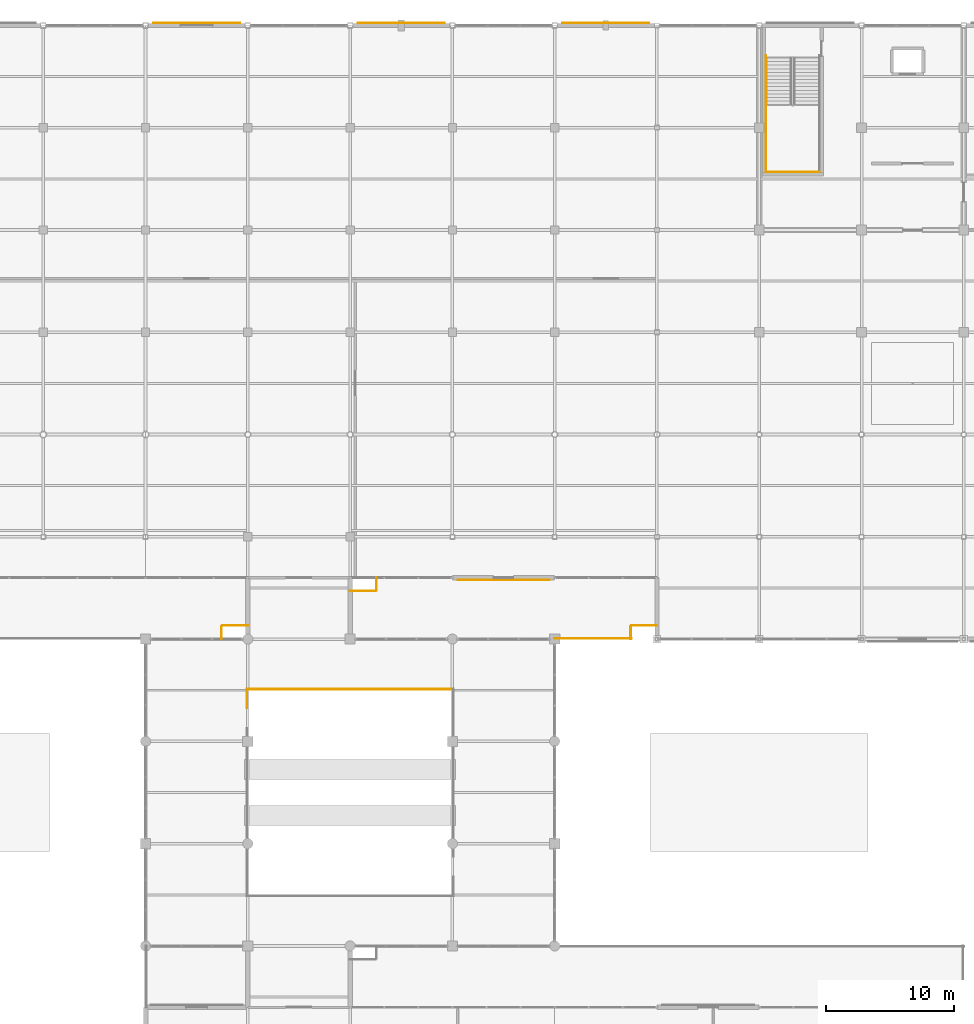
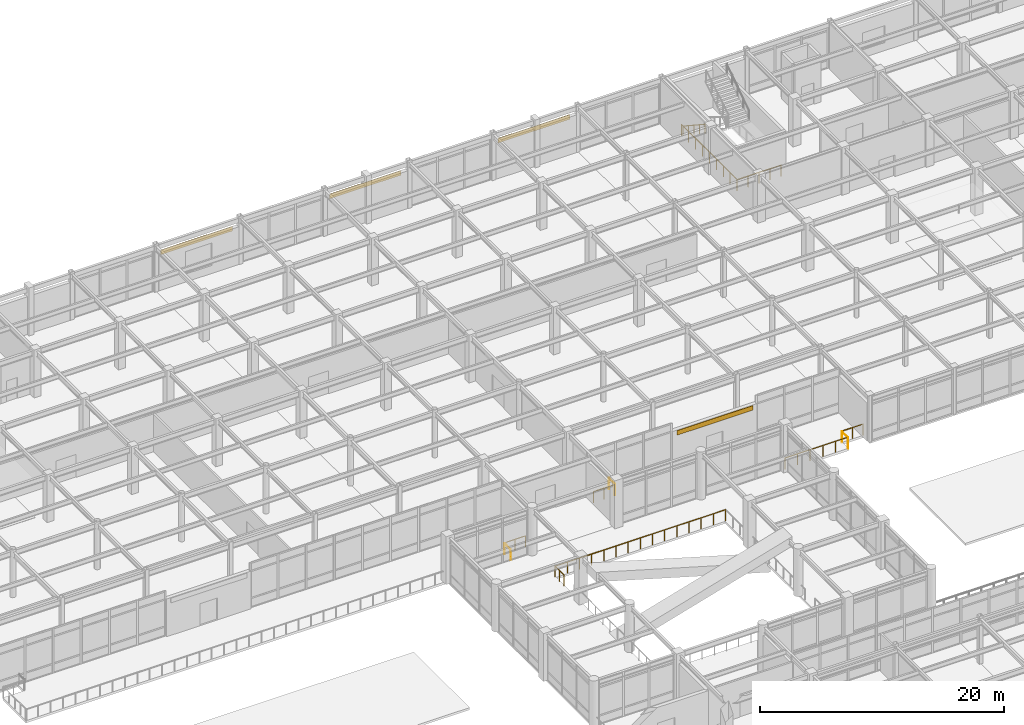
# One storey, part 111 of 117: 12 railings, 4 coverings.
"""IFC4 building model written with IfcOpenShell, lengths in metres."""

import ifcopenshell
import ifcopenshell.guid

model = None  # the IFC model being written
_history = None  # IfcOwnerHistory: only IFC2X3 demands one
_inside = {}  # id of a spatial element -> (the spatial element, [elements in it])
_under = {}  # id of a project, library or spatial element -> (it, [spatial elements below it])
_declared = {}  # id of a project -> (the project, [libraries it declares])
_typed = {}  # id of a type object -> (the type object, [elements of that type])
_made_of = {}  # id of a material, layer set ... -> (it, [elements and type objects made of it])


def new_model(schema):
    """Start an empty IFC model of exactly this schema.

    Asked for "IFC4X3", IfcOpenShell would pick the latest addendum, in which some entities
    have other attributes; the version numbers below select the first issue.
    IFC2X3 requires an IfcOwnerHistory on every rooted entity: one is made here for all.
    """
    global model, _history
    if schema == "IFC4X3":
        model = ifcopenshell.file(schema_version=(4, 3, 0, 0))
    else:
        model = ifcopenshell.file(schema=schema)
    _inside.clear()
    _under.clear()
    _declared.clear()
    _typed.clear()
    _made_of.clear()
    _history = None
    if model.schema == "IFC2X3":
        org = make("IfcOrganization", Name="unknown")
        user = make(
            "IfcPersonAndOrganization",
            ThePerson=make("IfcPerson", FamilyName="unknown"),
            TheOrganization=org,
        )
        app = make(
            "IfcApplication",
            ApplicationDeveloper=org,
            Version="unknown",
            ApplicationFullName="unknown",
            ApplicationIdentifier="unknown",
        )
        _history = make(
            "IfcOwnerHistory",
            OwningUser=user,
            OwningApplication=app,
            ChangeAction="ADDED",
            CreationDate=0,
        )
    return model


def make(cls, **values):
    """One entity of the class cls with the attributes given. An attribute that is None is left unset."""
    return model.create_entity(
        cls, **{name: value for name, value in values.items() if value is not None}
    )


def rooted(cls, **values):
    """An entity with a GlobalId (a new one), such as an element, a storey or a relation."""
    return make(cls, GlobalId=ifcopenshell.guid.new(), OwnerHistory=_history, **values)


def si_unit(unit_type, name, prefix=None):
    """IfcSIUnit, for example si_unit("LENGTHUNIT", "METRE", prefix="MILLI")."""
    return make("IfcSIUnit", UnitType=unit_type, Prefix=prefix, Name=name)


def assignment(units):
    """IfcUnitAssignment: the units of a project."""
    return None if units is None else make("IfcUnitAssignment", Units=units)


def point(xyz):
    """IfcCartesianPoint."""
    return None if xyz is None else make("IfcCartesianPoint", Coordinates=xyz)


def direction(xyz):
    """IfcDirection."""
    return None if xyz is None else make("IfcDirection", DirectionRatios=xyz)


def frame(location, z_axis=None, x_axis=None):
    """IfcAxis2Placement3D, a coordinate frame: its origin and axes. An axis left out is left unset."""
    return make(
        "IfcAxis2Placement3D",
        Location=point(location),
        Axis=direction(z_axis),
        RefDirection=direction(x_axis),
    )


def frame_2d(location, x_axis=None):
    """IfcAxis2Placement2D, a coordinate frame in the plane: its origin and x axis."""
    return make(
        "IfcAxis2Placement2D", Location=point(location), RefDirection=direction(x_axis)
    )


def origin():
    """The frame at (0, 0, 0) with its axes left unset."""
    return frame((0.0, 0.0, 0.0))


def origin_2d():
    """The frame at (0, 0) in the plane with its x axis left unset."""
    return frame_2d((0.0, 0.0))


def place(relative_to, where):
    """IfcLocalPlacement: puts the frame where relative to a parent placement (None: the world)."""
    return make(
        "IfcLocalPlacement", PlacementRelTo=relative_to, RelativePlacement=where
    )


def context(
    kind, dimensions, precision=None, world=None, true_north=None, identifier=None
):
    """IfcGeometricRepresentationContext, for example the 3D "Model" context."""
    return make(
        "IfcGeometricRepresentationContext",
        ContextIdentifier=identifier,
        ContextType=kind,
        CoordinateSpaceDimension=dimensions,
        Precision=precision,
        WorldCoordinateSystem=world,
        TrueNorth=true_north,
    )


def subcontext(parent, identifier, kind, view, scale=None):
    """IfcGeometricRepresentationSubContext, for example "Body" below "Model"."""
    return make(
        "IfcGeometricRepresentationSubContext",
        ContextIdentifier=identifier,
        ContextType=kind,
        ParentContext=parent,
        TargetScale=scale,
        TargetView=view,
    )


def project(units=None, contexts=None):
    """IfcProject with its units and contexts."""
    return rooted(
        "IfcProject",
        Name="project",
        RepresentationContexts=contexts,
        UnitsInContext=assignment(units),
    )


def spatial(cls, under=None, at=None, **own):
    """A site, building, storey or space (cls), placed at a placement, below another one or the project."""
    s = rooted(cls, ObjectPlacement=at, **own)
    if under is not None:
        _under.setdefault(under.id(), (under, []))[1].append(s)
    return s


def profile(cls, at=None, kind="AREA", **sizes):
    """A parametric profile (cls). Its sizes go by their IFC names, for example OverallWidth=200.0."""
    return make(cls, ProfileType=kind, Position=at, **sizes)


def rectangle(**sizes):
    """IfcRectangleProfileDef."""
    return profile("IfcRectangleProfileDef", **sizes)


def circle(**sizes):
    """IfcCircleProfileDef."""
    return profile("IfcCircleProfileDef", **sizes)


def extrude(swept, where, along, depth):
    """IfcExtrudedAreaSolid: the profile swept, set in the frame where, extruded along a direction by depth."""
    return make(
        "IfcExtrudedAreaSolid",
        SweptArea=swept,
        Position=where,
        ExtrudedDirection=direction(along),
        Depth=depth,
    )


def shape(context_of_items, identifier, shape_type, items):
    """IfcShapeRepresentation: the items that make up one representation, for example the "Body"."""
    return make(
        "IfcShapeRepresentation",
        ContextOfItems=context_of_items,
        RepresentationIdentifier=identifier,
        RepresentationType=shape_type,
        Items=items,
    )


def material(Name=None, Category=None):
    """IfcMaterial."""
    return make("IfcMaterial", Name=Name, Category=Category)


def layer(
    of_material, thickness, ventilated=None, Name=None, Category=None, Priority=None
):
    """IfcMaterialLayer: one layer of a wall or slab, of a material (None: an air gap)."""
    return make(
        "IfcMaterialLayer",
        Material=of_material,
        LayerThickness=thickness,
        IsVentilated=ventilated,
        Name=Name,
        Category=Category,
        Priority=Priority,
    )


def layer_set(layers, Name=None):
    """IfcMaterialLayerSet."""
    return make("IfcMaterialLayerSet", MaterialLayers=layers, LayerSetName=Name)


def made_of(thing, what):
    """Note that an element or type object is made of a material, layer set ...; save() writes the relation."""
    if what is not None:
        _made_of.setdefault(what.id(), (what, []))[1].append(thing)
    return thing


def type_object(cls, material=None, **own):
    """A type object (cls), such as IfcWallType, which elements share."""
    return made_of(rooted(cls, **own), material)


def element(
    cls,
    number,
    at=None,
    inside=None,
    cuts=None,
    type_object=None,
    material=None,
    context=None,
    identifier="Body",
    shape_type=None,
    held_by="IfcProductDefinitionShape",
    body=None,
    shapes=None,
    **own,
):
    """One element of the class cls, such as IfcWall. Its Tag is "e" and its number.

    at: its placement. inside: the storey or other place that contains it. cuts: it is an
    opening in that element (IfcRelVoidsElement). A single representation is given by context,
    identifier, shape_type and body (its items); several are given by shapes. held_by: the class
    of the entity that holds the representations. save() writes the other relations.
    """
    e = rooted(cls, Tag="e%d" % number, ObjectPlacement=at, **own)
    if body is not None:
        shapes = [shape(context, identifier, shape_type, body)]
    if shapes is not None:
        e.Representation = make(held_by, Representations=shapes)
    if inside is not None:
        _inside.setdefault(inside.id(), (inside, []))[1].append(e)
    if cuts is not None:
        rooted(
            "IfcRelVoidsElement", RelatingBuildingElement=cuts, RelatedOpeningElement=e
        )
    if type_object is not None:
        _typed.setdefault(type_object.id(), (type_object, []))[1].append(e)
    return made_of(e, material)


def aggregate(whole, parts):
    """IfcRelAggregates: a whole, such as a stair, and the parts it consists of."""
    return rooted("IfcRelAggregates", RelatingObject=whole, RelatedObjects=parts)


def save(model, path):
    """Write the relations noted so far, then the file.

    IfcRelAggregates (storeys below a building ...), IfcRelContainedInSpatialStructure (elements
    in a storey), IfcRelDefinesByType, IfcRelAssociatesMaterial and IfcRelDeclares: one each for
    every whole, place, type object, material and project.
    """
    for whole, parts in _under.values():
        aggregate(whole, parts)
    for where, things in _inside.values():
        rooted(
            "IfcRelContainedInSpatialStructure",
            RelatedElements=things,
            RelatingStructure=where,
        )
    for kind, things in _typed.values():
        rooted("IfcRelDefinesByType", RelatedObjects=things, RelatingType=kind)
    for what, things in _made_of.values():
        rooted("IfcRelAssociatesMaterial", RelatedObjects=things, RelatingMaterial=what)
    for by, libraries in _declared.values():
        rooted("IfcRelDeclares", RelatingContext=by, RelatedDefinitions=libraries)
    model.write(path)


model = new_model("IFC4")

# Units and contexts
model_context = context("Model", 3, precision=1e-05, world=origin(), true_north=direction((0.0, 1.0)))
body_context = subcontext(model_context, "Body", "Model", "MODEL_VIEW")
ifc_project = project(units=[si_unit("LENGTHUNIT", "METRE"), si_unit("AREAUNIT", "SQUARE_METRE"), si_unit("VOLUMEUNIT", "CUBIC_METRE"), si_unit("PLANEANGLEUNIT", "RADIAN"), si_unit("MASSUNIT", "GRAM", prefix="KILO")], contexts=[model_context])

# Site, building, storey
site_placement = place(None, origin())
site = spatial("IfcSite", under=ifc_project, at=site_placement, CompositionType="ELEMENT")
building_placement = place(site_placement, origin())
building = spatial("IfcBuilding", under=site, at=building_placement, Name="Solmirada Galleria", CompositionType="ELEMENT")
storey_placement = place(building_placement, frame((0.0, 0.0, 5.60009765625)))
storey = spatial("IfcBuildingStorey", under=building, at=storey_placement, Name="L01", CompositionType="ELEMENT", Elevation=5.60009765625)

# Coverings
ifc_material_1 = material(Name="Limestone cladding panels", Category="masonry")
ifc_layer = layer(ifc_material_1, 0.044921875)
ifc_layer_set = layer_set([ifc_layer], Name="Limestone cladding panels")
covering_type = type_object("IfcCoveringType", Name="COV-CLAD-LIME", PredefinedType="CLADDING", material=ifc_layer_set)
for number, where, z_axis, x_axis, name in (
    (1, (84.0, 120.1923828125, 3.2900390625), (0.0, 0.0, 1.0), (1.0, 0.0, 0.0), "Postmodern facade cladding L01-075"),
    (2, (100.0, 120.1923828125, 3.2900390625), (0.0, 0.0, 1.0), (1.0, 0.0, 0.0), "Postmodern facade cladding L01-076"),
):
    element("IfcCovering", number, at=place(storey_placement, frame(where, z_axis=z_axis, x_axis=x_axis)), inside=storey, type_object=covering_type, Name=name, PredefinedType="CLADDING", context=body_context, shape_type="SweptSolid", body=[
        extrude(rectangle(XDim=6.7939453125, YDim=0.044921875, at=origin_2d()), origin(), (0.0, 0.0, 1.0), 0.4599609375),
    ])
covering_1_placement = place(storey_placement, frame((116.0, 120.1923828125, 3.2900390625), z_axis=(0.0, 0.0, 1.0), x_axis=(1.0, 0.0, 0.0)))
element("IfcCovering", 3, at=covering_1_placement, inside=storey, type_object=covering_type, Name="Postmodern facade cladding L01-077", PredefinedType="CLADDING", context=body_context, shape_type="SweptSolid", body=[
    extrude(rectangle(XDim=6.819091796875, YDim=0.044921875, at=origin_2d()), origin(), (0.0, 0.0, 1.0), 0.4599609375),
])
covering_2_placement = place(storey_placement, frame((108.0, 76.607421875, 3.2900390625), z_axis=(0.0, 0.0, 1.0), x_axis=(-1.0, 0.0, 0.0)))
element("IfcCovering", 4, at=covering_2_placement, inside=storey, type_object=covering_type, Name="Postmodern facade cladding L01-090", PredefinedType="CLADDING", context=body_context, shape_type="SweptSolid", body=[
    extrude(rectangle(XDim=7.199951171875, YDim=0.044921875, at=origin_2d()), origin(), (0.0, 0.0, 1.0), 0.4599609375),
])

# Railings
ifc_material_2 = material(Name="Tempered laminated glass and stainless-steel balustrade", Category="steel")
railing_type_1 = type_object("IfcRailingType", Name="RAIL-ATRIUM-BAL", PredefinedType="BALUSTRADE", material=ifc_material_2)
railing_1_placement = place(storey_placement, frame((87.919921875, 66.60009765625, 0.0)))
element("IfcRailing", 5, at=railing_1_placement, inside=storey, type_object=railing_type_1, Name="Void balustrade ATRIUM L01-W2", PredefinedType="BALUSTRADE", context=body_context, shape_type="SweptSolid", body=[
    extrude(circle(Radius=0.02392578125, at=origin_2d()), frame((0.0, 0.0, 1.09619140625), z_axis=(0.0, 1.0, 0.0), x_axis=(-1.0, 0.0, 0.0)), (0.0, 0.0, 1.0), 1.47998046875),
    extrude(circle(Radius=0.02099609375, at=origin_2d()), origin(), (0.0, 0.0, 1.0), 1.068115234375),
    extrude(circle(Radius=0.02099609375, at=origin_2d()), frame((0.0, 0.739990234375, 0.0)), (0.0, 0.0, 1.0), 1.068115234375),
    extrude(circle(Radius=0.02099609375, at=origin_2d()), frame((0.0, 1.47998046875, 0.0)), (0.0, 0.0, 1.0), 1.068115234375),
])
railing_2_placement = place(storey_placement, frame((87.919921875, 68.080078125, 0.0)))
element("IfcRailing", 6, at=railing_2_placement, inside=storey, type_object=railing_type_1, Name="Void balustrade ATRIUM L01-N", PredefinedType="BALUSTRADE", context=body_context, shape_type="SweptSolid", body=[
    extrude(circle(Radius=0.02392578125, at=origin_2d()), frame((0.0, 0.0, 1.09619140625), z_axis=(1.0, 0.0, 0.0), x_axis=(0.0, 1.0, 0.0)), (0.0, 0.0, 1.0), 16.16015625),
    extrude(circle(Radius=0.02099609375, at=origin_2d()), origin(), (0.0, 0.0, 1.0), 1.068115234375),
    extrude(circle(Radius=0.02099609375, at=origin_2d()), frame((1.154296875, 0.0, 0.0)), (0.0, 0.0, 1.0), 1.068115234375),
    extrude(circle(Radius=0.02099609375, at=origin_2d()), frame((2.30859375, 0.0, 0.0)), (0.0, 0.0, 1.0), 1.068115234375),
    extrude(circle(Radius=0.02099609375, at=origin_2d()), frame((3.462890625, 0.0, 0.0)), (0.0, 0.0, 1.0), 1.068115234375),
    extrude(circle(Radius=0.02099609375, at=origin_2d()), frame((4.6171875, 0.0, 0.0)), (0.0, 0.0, 1.0), 1.068115234375),
    extrude(circle(Radius=0.02099609375, at=origin_2d()), frame((5.771484375, 0.0, 0.0)), (0.0, 0.0, 1.0), 1.068115234375),
    extrude(circle(Radius=0.02099609375, at=origin_2d()), frame((6.92578125, 0.0, 0.0)), (0.0, 0.0, 1.0), 1.068115234375),
    extrude(circle(Radius=0.02099609375, at=origin_2d()), frame((8.080078125, 0.0, 0.0)), (0.0, 0.0, 1.0), 1.068115234375),
    extrude(circle(Radius=0.02099609375, at=origin_2d()), frame((9.234375, 0.0, 0.0)), (0.0, 0.0, 1.0), 1.068115234375),
    extrude(circle(Radius=0.02099609375, at=origin_2d()), frame((10.388671875, 0.0, 0.0)), (0.0, 0.0, 1.0), 1.068115234375),
    extrude(circle(Radius=0.02099609375, at=origin_2d()), frame((11.54296875, 0.0, 0.0)), (0.0, 0.0, 1.0), 1.068115234375),
    extrude(circle(Radius=0.02099609375, at=origin_2d()), frame((12.697265625, 0.0, 0.0)), (0.0, 0.0, 1.0), 1.068115234375),
    extrude(circle(Radius=0.02099609375, at=origin_2d()), frame((13.8515625, 0.0, 0.0)), (0.0, 0.0, 1.0), 1.068115234375),
    extrude(circle(Radius=0.02099609375, at=origin_2d()), frame((15.005859375, 0.0, 0.0)), (0.0, 0.0, 1.0), 1.068115234375),
    extrude(circle(Radius=0.02099609375, at=origin_2d()), frame((16.16015625, 0.0, 0.0)), (0.0, 0.0, 1.0), 1.068115234375),
])
ifc_material_3 = material(Name="Painted steel tubular railing", Category="steel")
railing_type_2 = type_object("IfcRailingType", Name="RAIL-STAIR-GUARD", PredefinedType="GUARDRAIL", material=ifc_material_3)
railing_3_placement = place(storey_placement, frame((132.7099609375, 108.5400390625, 0.0)))
element("IfcRailing", 7, at=railing_3_placement, inside=storey, type_object=railing_type_2, Name="Stair ST3 well edge guard L01-2", PredefinedType="GUARDRAIL", context=body_context, shape_type="SweptSolid", body=[
    extrude(circle(Radius=0.02392578125, at=origin_2d()), frame((0.0, 0.0, 1.09619140625), z_axis=(-1.0, 0.0, 0.0), x_axis=(0.0, -1.0, 0.0)), (0.0, 0.0, 1.0), 4.169921875),
    extrude(circle(Radius=0.02099609375, at=origin_2d()), origin(), (0.0, 0.0, 1.0), 1.068115234375),
    extrude(circle(Radius=0.02099609375, at=origin_2d()), frame((-1.04248046875, 0.0, 0.0)), (0.0, 0.0, 1.0), 1.068115234375),
    extrude(circle(Radius=0.02099609375, at=origin_2d()), frame((-2.0849609375, 0.0, 0.0)), (0.0, 0.0, 1.0), 1.068115234375),
    extrude(circle(Radius=0.02099609375, at=origin_2d()), frame((-3.12744140625, 0.0, 0.0)), (0.0, 0.0, 1.0), 1.068115234375),
    extrude(circle(Radius=0.02099609375, at=origin_2d()), frame((-4.169921875, 0.0, 0.0)), (0.0, 0.0, 1.0), 1.068115234375),
])
railing_4_placement = place(storey_placement, frame((128.5400390625, 108.5400390625, 0.0)))
element("IfcRailing", 8, at=railing_4_placement, inside=storey, type_object=railing_type_2, Name="Stair ST3 well edge guard L01-3", PredefinedType="GUARDRAIL", context=body_context, shape_type="SweptSolid", body=[
    extrude(circle(Radius=0.02392578125, at=origin_2d()), frame((0.0, 0.0, 1.09619140625), z_axis=(0.0, 1.0, 0.0), x_axis=(-1.0, 0.0, 0.0)), (0.0, 0.0, 1.0), 9.10986328125),
    extrude(circle(Radius=0.02099609375, at=origin_2d()), origin(), (0.0, 0.0, 1.0), 1.068115234375),
    extrude(circle(Radius=0.02099609375, at=origin_2d()), frame((0.0, 1.138671875, 0.0)), (0.0, 0.0, 1.0), 1.068115234375),
    extrude(circle(Radius=0.02099609375, at=origin_2d()), frame((0.0, 2.27734375, 0.0)), (0.0, 0.0, 1.0), 1.068115234375),
    extrude(circle(Radius=0.02099609375, at=origin_2d()), frame((0.0, 3.416259765625, 0.0)), (0.0, 0.0, 1.0), 1.068115234375),
    extrude(circle(Radius=0.02099609375, at=origin_2d()), frame((0.0, 4.554931640625, 0.0)), (0.0, 0.0, 1.0), 1.068115234375),
    extrude(circle(Radius=0.02099609375, at=origin_2d()), frame((0.0, 5.693603515625, 0.0)), (0.0, 0.0, 1.0), 1.068115234375),
    extrude(circle(Radius=0.02099609375, at=origin_2d()), frame((0.0, 6.83251953125, 0.0)), (0.0, 0.0, 1.0), 1.068115234375),
    extrude(circle(Radius=0.02099609375, at=origin_2d()), frame((0.0, 7.97119140625, 0.0)), (0.0, 0.0, 1.0), 1.068115234375),
    extrude(circle(Radius=0.02099609375, at=origin_2d()), frame((0.0, 9.10986328125, 0.0)), (0.0, 0.0, 1.0), 1.068115234375),
])
railing_type_3 = type_object("IfcRailingType", Name="RAIL-STAIR-HAND", PredefinedType="HANDRAIL", material=ifc_material_3)
railing_5_placement = place(storey_placement, frame((128.550048828125, 117.449951171875, 0.17138671875)))
element("IfcRailing", 9, at=railing_5_placement, inside=storey, type_object=railing_type_3, Name="L01 ST3 stair handrail 1", PredefinedType="HANDRAIL", context=body_context, shape_type="SweptSolid", body=[
    extrude(circle(Radius=0.02392578125, at=origin_2d()), frame((0.0, 0.0, 0.8759765625), z_axis=(0.0, -0.834865213223, 0.550454426587), x_axis=(1.0, 0.0, 0.0)), (0.0, 0.0, 1.0), 4.35986328125),
    extrude(circle(Radius=0.02099609375, at=origin_2d()), origin(), (0.0, 0.0, 1.0), 0.847900390625),
    extrude(circle(Radius=0.02099609375, at=origin_2d()), frame((0.0, -0.909912109375, 0.60009765625)), (0.0, 0.0, 1.0), 0.847900390625),
    extrude(circle(Radius=0.02099609375, at=origin_2d()), frame((0.0, -1.81982421875, 1.199951171875)), (0.0, 0.0, 1.0), 0.847900390625),
    extrude(circle(Radius=0.02099609375, at=origin_2d()), frame((0.0, -2.72998046875, 1.7998046875)), (0.0, 0.0, 1.0), 0.847900390625),
    extrude(circle(Radius=0.02099609375, at=origin_2d()), frame((0.0, -3.639892578125, 2.39990234375)), (0.0, 0.0, 1.0), 0.847900390625),
])
ifc_material_4 = material(Name="Painted galvanized steel balustrade", Category="steel")
railing_type_4 = type_object("IfcRailingType", Name="RAIL-TERR-1100", PredefinedType="GUARDRAIL", material=ifc_material_4)
railing_6_placement = place(storey_placement, frame((85.949951171875, 72.0, 0.0)))
element("IfcRailing", 10, at=railing_6_placement, inside=storey, type_object=railing_type_4, Name="Terrace guardrail L01-TERR-NW E2.1", PredefinedType="GUARDRAIL", context=body_context, shape_type="SweptSolid", body=[
    extrude(circle(Radius=0.02392578125, at=origin_2d()), frame((0.0, 0.0, 1.09619140625), z_axis=(0.0, 1.0, 0.0), x_axis=(-1.0, 0.0, 0.0)), (0.0, 0.0, 1.0), 1.0),
    extrude(circle(Radius=0.02099609375, at=origin_2d()), origin(), (0.0, 0.0, 1.0), 1.068115234375),
    extrude(circle(Radius=0.02099609375, at=origin_2d()), frame((0.0, 1.0, 0.0)), (0.0, 0.0, 1.0), 1.068115234375),
])
railing_7_placement = place(storey_placement, frame((86.0, 73.050048828125, 0.0)))
element("IfcRailing", 11, at=railing_7_placement, inside=storey, type_object=railing_type_4, Name="Terrace guardrail L01-TERR-NW E3.1", PredefinedType="GUARDRAIL", context=body_context, shape_type="SweptSolid", body=[
    extrude(circle(Radius=0.02392578125, at=origin_2d()), frame((0.0, 0.0, 1.09619140625), z_axis=(1.0, 0.0, 0.0), x_axis=(0.0, 1.0, 0.0)), (0.0, 0.0, 1.0), 2.0),
    extrude(circle(Radius=0.02099609375, at=origin_2d()), origin(), (0.0, 0.0, 1.0), 1.068115234375),
    extrude(circle(Radius=0.02099609375, at=origin_2d()), frame((1.0, 0.0, 0.0)), (0.0, 0.0, 1.0), 1.068115234375),
    extrude(circle(Radius=0.02099609375, at=origin_2d()), frame((2.0, 0.0, 0.0)), (0.0, 0.0, 1.0), 1.068115234375),
])
railing_8_placement = place(storey_placement, frame((112.0, 72.050048828125, 0.0)))
element("IfcRailing", 12, at=railing_8_placement, inside=storey, type_object=railing_type_4, Name="Terrace guardrail L01-TERR-NE E1.1", PredefinedType="GUARDRAIL", context=body_context, shape_type="SweptSolid", body=[
    extrude(circle(Radius=0.02392578125, at=origin_2d()), frame((0.0, 0.0, 1.09619140625), z_axis=(1.0, 0.0, 0.0), x_axis=(0.0, 1.0, 0.0)), (0.0, 0.0, 1.0), 6.0),
    extrude(circle(Radius=0.02099609375, at=origin_2d()), origin(), (0.0, 0.0, 1.0), 1.068115234375),
    extrude(circle(Radius=0.02099609375, at=origin_2d()), frame((1.199951171875, 0.0, 0.0)), (0.0, 0.0, 1.0), 1.068115234375),
    extrude(circle(Radius=0.02099609375, at=origin_2d()), frame((2.39990234375, 0.0, 0.0)), (0.0, 0.0, 1.0), 1.068115234375),
    extrude(circle(Radius=0.02099609375, at=origin_2d()), frame((3.60009765625, 0.0, 0.0)), (0.0, 0.0, 1.0), 1.068115234375),
    extrude(circle(Radius=0.02099609375, at=origin_2d()), frame((4.800048828125, 0.0, 0.0)), (0.0, 0.0, 1.0), 1.068115234375),
    extrude(circle(Radius=0.02099609375, at=origin_2d()), frame((6.0, 0.0, 0.0)), (0.0, 0.0, 1.0), 1.068115234375),
])
railing_9_placement = place(storey_placement, frame((117.949951171875, 72.0, 0.0)))
element("IfcRailing", 13, at=railing_9_placement, inside=storey, type_object=railing_type_4, Name="Terrace guardrail L01-TERR-NE E2.1", PredefinedType="GUARDRAIL", context=body_context, shape_type="SweptSolid", body=[
    extrude(circle(Radius=0.02392578125, at=origin_2d()), frame((0.0, 0.0, 1.09619140625), z_axis=(0.0, 1.0, 0.0), x_axis=(-1.0, 0.0, 0.0)), (0.0, 0.0, 1.0), 1.0),
    extrude(circle(Radius=0.02099609375, at=origin_2d()), origin(), (0.0, 0.0, 1.0), 1.068115234375),
    extrude(circle(Radius=0.02099609375, at=origin_2d()), frame((0.0, 1.0, 0.0)), (0.0, 0.0, 1.0), 1.068115234375),
])
railing_10_placement = place(storey_placement, frame((118.0, 73.050048828125, 0.0)))
element("IfcRailing", 14, at=railing_10_placement, inside=storey, type_object=railing_type_4, Name="Terrace guardrail L01-TERR-NE E3.1", PredefinedType="GUARDRAIL", context=body_context, shape_type="SweptSolid", body=[
    extrude(circle(Radius=0.02392578125, at=origin_2d()), frame((0.0, 0.0, 1.09619140625), z_axis=(1.0, 0.0, 0.0), x_axis=(0.0, 1.0, 0.0)), (0.0, 0.0, 1.0), 2.0),
    extrude(circle(Radius=0.02099609375, at=origin_2d()), origin(), (0.0, 0.0, 1.0), 1.068115234375),
    extrude(circle(Radius=0.02099609375, at=origin_2d()), frame((1.0, 0.0, 0.0)), (0.0, 0.0, 1.0), 1.068115234375),
    extrude(circle(Radius=0.02099609375, at=origin_2d()), frame((2.0, 0.0, 0.0)), (0.0, 0.0, 1.0), 1.068115234375),
])
railing_11_placement = place(storey_placement, frame((98.050048828125, 76.800048828125, 0.0)))
element("IfcRailing", 15, at=railing_11_placement, inside=storey, type_object=railing_type_4, Name="Terrace guardrail L01-TERR-NE E6.1", PredefinedType="GUARDRAIL", context=body_context, shape_type="SweptSolid", body=[
    extrude(circle(Radius=0.02392578125, at=origin_2d()), frame((0.0, 0.0, 1.09619140625), z_axis=(0.0, -1.0, 0.0), x_axis=(1.0, 0.0, 0.0)), (0.0, 0.0, 1.0), 1.0),
    extrude(circle(Radius=0.02099609375, at=origin_2d()), origin(), (0.0, 0.0, 1.0), 1.068115234375),
    extrude(circle(Radius=0.02099609375, at=origin_2d()), frame((0.0, -1.0, 0.0)), (0.0, 0.0, 1.0), 1.068115234375),
])
railing_12_placement = place(storey_placement, frame((98.0, 75.75, 0.0)))
element("IfcRailing", 16, at=railing_12_placement, inside=storey, type_object=railing_type_4, Name="Terrace guardrail L01-TERR-NE E7.1", PredefinedType="GUARDRAIL", context=body_context, shape_type="SweptSolid", body=[
    extrude(circle(Radius=0.02392578125, at=origin_2d()), frame((0.0, 0.0, 1.09619140625), z_axis=(-1.0, 0.0, 0.0), x_axis=(0.0, -1.0, 0.0)), (0.0, 0.0, 1.0), 2.0),
    extrude(circle(Radius=0.02099609375, at=origin_2d()), origin(), (0.0, 0.0, 1.0), 1.068115234375),
    extrude(circle(Radius=0.02099609375, at=origin_2d()), frame((-1.0, 0.0, 0.0)), (0.0, 0.0, 1.0), 1.068115234375),
    extrude(circle(Radius=0.02099609375, at=origin_2d()), frame((-2.0, 0.0, 0.0)), (0.0, 0.0, 1.0), 1.068115234375),
])

save(model, "model.ifc")
